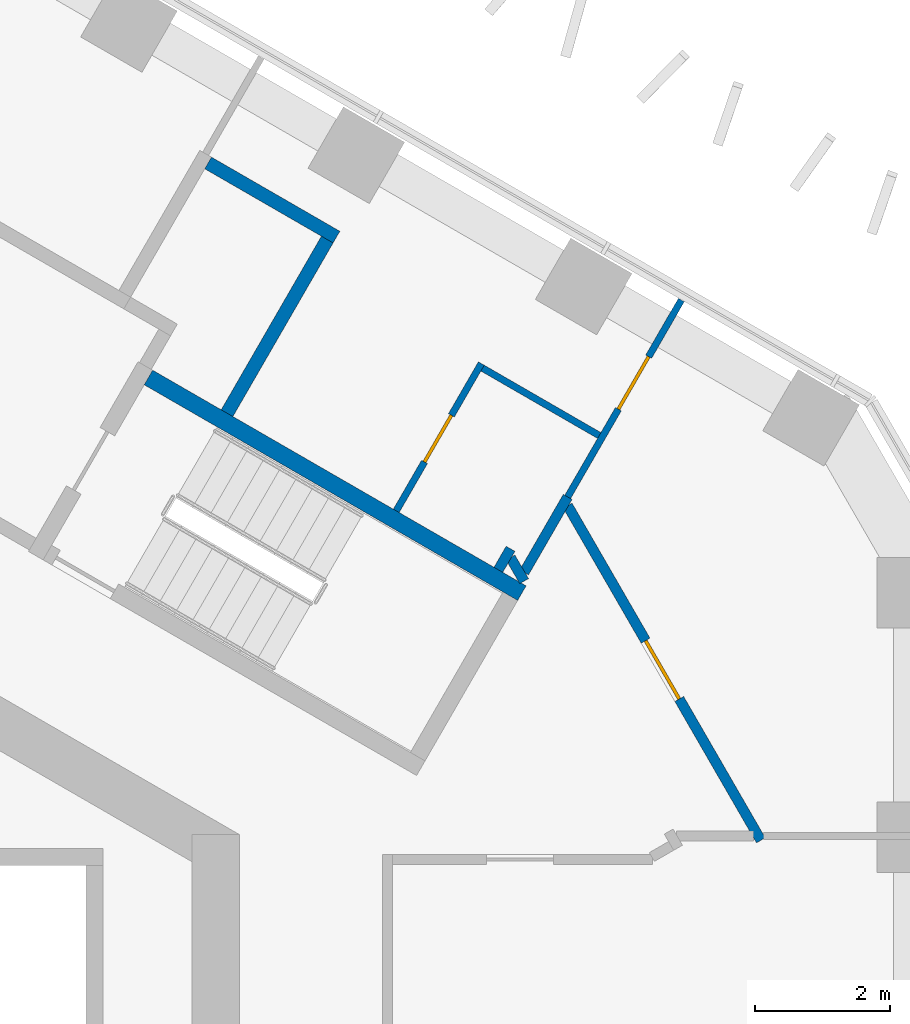
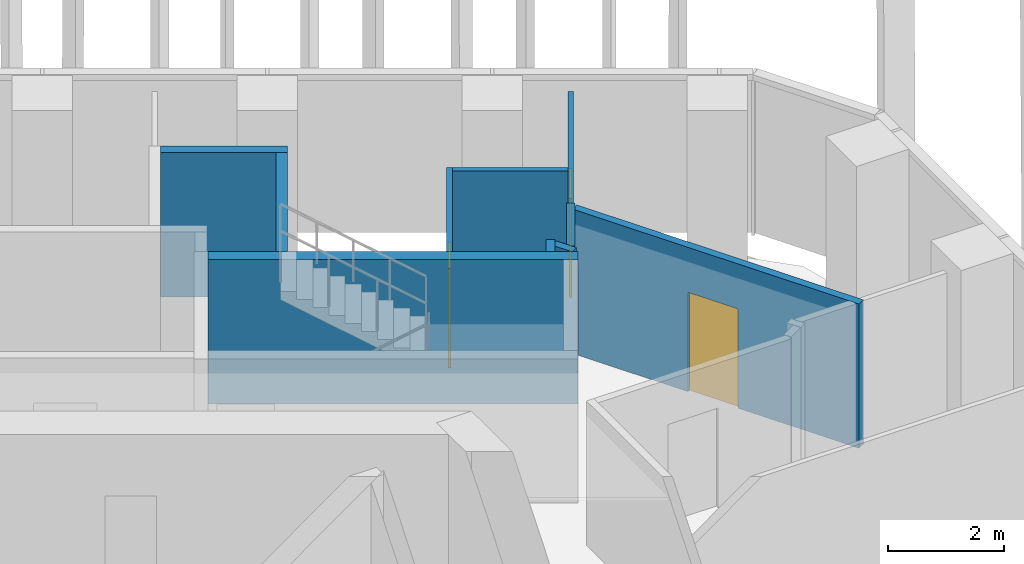
# One storey, part 15 of 19: 10 walls, 3 doors, 3 openings.
"""IFC4 building model written with IfcOpenShell, lengths in metres."""

from ifc_helpers import new_model, si_unit, direction, frame, frame_2d, origin, place, context, subcontext, project, spatial, rectangle, extrude, material, layer, layer_set, type_object, element, fill, save


model = new_model("IFC4")

# Units and contexts
model_context = context("Model", 3, precision=1e-05, world=origin(), true_north=direction((0.0, 1.0)))
body_context = subcontext(model_context, "Body", "Model", "MODEL_VIEW")
ifc_project = project(units=[si_unit("LENGTHUNIT", "METRE"), si_unit("AREAUNIT", "SQUARE_METRE"), si_unit("VOLUMEUNIT", "CUBIC_METRE"), si_unit("PLANEANGLEUNIT", "RADIAN"), si_unit("MASSUNIT", "GRAM", prefix="KILO")], contexts=[model_context])

# Site, building, storey
site_placement = place(None, origin())
site = spatial("IfcSite", under=ifc_project, at=site_placement, CompositionType="ELEMENT")
building_placement = place(site_placement, origin())
building = spatial("IfcBuilding", under=site, at=building_placement, Name="Ayvan Gate Tower", CompositionType="ELEMENT")
storey_placement = place(building_placement, frame((0.0, 0.0, 103.5)))
storey = spatial("IfcBuildingStorey", under=building, at=storey_placement, Name="L27", CompositionType="ELEMENT", Elevation=103.5)

# Walls
ifc_material_1 = material(Name="Plasterboard on steel stud", Category="steel")
ifc_layer_1 = layer(ifc_material_1, 0.14990234375)
ifc_layer_set_1 = layer_set([ifc_layer_1], Name="Plasterboard on steel stud")
wall_type_1 = type_object("IfcWallType", Name="WT-CORR-150", PredefinedType="PARTITIONING", material=ifc_layer_set_1)
wall_1_placement = place(storey_placement, frame((13.3447265625, 9.413818359375, 0.0), z_axis=(0.0, 0.0, 1.0), x_axis=(0.500074377092, 0.865982457891, 0.0)))
element("IfcWall", 1, at=wall_1_placement, inside=storey, type_object=wall_type_1, Name="IW-L27-107", PredefinedType="PARTITIONING", context=body_context, shape_type="SweptSolid", body=[
    extrude(rectangle(XDim=0.3603515625, YDim=0.14990234375, at=frame_2d((0.18017578125, 0.0))), origin(), (0.0, 0.0, 1.0), 3.050048828125),
])
wall_2_placement = place(storey_placement, frame((13.52490234375, 9.595947265625, 0.0), z_axis=(0.0, 0.0, 1.0), x_axis=(0.500297731093, -0.865853440406, 0.0)))
element("IfcWall", 2, at=wall_2_placement, inside=storey, type_object=wall_type_1, Name="IW-L27-108", PredefinedType="PARTITIONING", context=body_context, shape_type="SweptSolid", body=[
    extrude(rectangle(XDim=0.404052734375, YDim=0.14990234375, at=frame_2d((0.2021484375, 0.0))), origin(), (0.0, 0.0, 1.0), 3.050048828125),
])
wall_3_placement = place(storey_placement, frame((13.72705078125, 9.3759765625, 0.0), z_axis=(0.0, 0.0, 1.0), x_axis=(0.499978610854, 0.866037752461, 0.0)))
element("IfcWall", 3, at=wall_3_placement, inside=storey, type_object=wall_type_1, Name="IW-L27-110", PredefinedType="PARTITIONING", context=body_context, shape_type="SweptSolid", body=[
    extrude(rectangle(XDim=1.29248046875, YDim=0.14990234375, at=frame_2d((0.646240234375, 0.0))), origin(), (0.0, 0.0, 1.0), 3.050048828125),
])

# Wall, opening, door
wall_4_placement = place(storey_placement, frame((14.373291015625, 10.365478515625, 0.0), z_axis=(0.0, 0.0, 1.0), x_axis=(0.499985338323, -0.866033868542, 0.0)))
wall_4 = element("IfcWall", 4, at=wall_4_placement, inside=storey, type_object=wall_type_1, Name="IW-L27-112", PredefinedType="PARTITIONING", context=body_context, shape_type="SweptSolid", body=[
    extrude(rectangle(XDim=5.734619140625, YDim=0.14990234375, at=frame_2d((2.8671875, 0.0))), origin(), (0.0, 0.0, 1.0), 3.050048828125),
])
opening_1_placement = place(wall_4_placement, frame((2.3125, 0.0, 0.0)))
opening_1 = element("IfcOpeningElement", 5, at=opening_1_placement, cuts=wall_4, Name="Opening L27-D19", PredefinedType="OPENING", context=body_context, shape_type="SweptSolid", body=[
    extrude(rectangle(XDim=1.0, YDim=2.10009765625, at=frame_2d((0.5, 1.050048828125))), frame((0.0, 0.0849609375, 0.0), z_axis=(0.0, -1.0, 0.0), x_axis=(1.0, 0.0, 0.0)), (0.0, 0.0, 1.0), 0.169921875),
])
ifc_material_2 = material(Name="Timber door leaf", Category="wood")
door_type_1 = type_object("IfcDoorType", Name="DT-1000", OperationType="NOTDEFINED", PredefinedType="DOOR", material=ifc_material_2)
door_1_placement = place(opening_1_placement, origin())
door_1 = element("IfcDoor", 6, at=door_1_placement, inside=storey, type_object=door_type_1, Name="ID-L27-019", OperationType="SINGLE_SWING_RIGHT", OverallHeight=2.10009765625, OverallWidth=1.0, PredefinedType="DOOR", context=body_context, shape_type="SweptSolid", body=[
    extrude(rectangle(XDim=1.0, YDim=2.10009765625, at=frame_2d((0.5, 1.050048828125))), frame((0.0, 0.02490234375, 0.0), z_axis=(0.0, -1.0, 0.0), x_axis=(1.0, 0.0, 0.0)), (0.0, 0.0, 1.0), 0.050048828125),
])
fill(opening_1, door_1)

ifc_layer_2 = layer(ifc_material_1, 0.10009765625)
ifc_layer_set_2 = layer_set([ifc_layer_2], Name="Plasterboard on steel stud")
wall_type_2 = type_object("IfcWallType", Name="WT-PART-100", PredefinedType="PARTITIONING", material=ifc_layer_set_2)
wall_5_placement = place(storey_placement, frame((13.091796875, 12.4755859375, 0.0), z_axis=(0.0, 0.0, 1.0), x_axis=(-0.500048846702, -0.865997200291, 0.0)))
wall_5 = element("IfcWall", 7, at=wall_5_placement, inside=storey, type_object=wall_type_2, Name="IW-L27-105", PredefinedType="PARTITIONING", context=body_context, shape_type="SweptSolid", body=[
    extrude(rectangle(XDim=2.525146484375, YDim=0.10009765625, at=frame_2d((1.2626953125, 0.0))), origin(), (0.0, 0.0, 1.0), 3.050048828125),
])
opening_2_placement = place(wall_5_placement, frame((0.887451171875, 0.0, 0.0)))
opening_2 = element("IfcOpeningElement", 8, at=opening_2_placement, cuts=wall_5, Name="Opening L27-D21", PredefinedType="OPENING", context=body_context, shape_type="SweptSolid", body=[
    extrude(rectangle(XDim=0.800048828125, YDim=2.10009765625, at=frame_2d((0.39990234375, 1.050048828125))), frame((0.0, 0.06005859375, 0.0), z_axis=(0.0, -1.0, 0.0), x_axis=(1.0, 0.0, 0.0)), (0.0, 0.0, 1.0), 0.1201171875),
])
door_type_2 = type_object("IfcDoorType", Name="DT-800", OperationType="NOTDEFINED", PredefinedType="DOOR", material=ifc_material_2)
door_2_placement = place(opening_2_placement, origin())
door_2 = element("IfcDoor", 9, at=door_2_placement, inside=storey, type_object=door_type_2, Name="ID-L27-021", OperationType="SINGLE_SWING_RIGHT", OverallHeight=2.10009765625, OverallWidth=0.800048828125, PredefinedType="DOOR", context=body_context, shape_type="SweptSolid", body=[
    extrude(rectangle(XDim=0.800048828125, YDim=2.10009765625, at=frame_2d((0.39990234375, 1.050048828125))), frame((0.0, 0.02490234375, 0.0), z_axis=(0.0, -1.0, 0.0), x_axis=(1.0, 0.0, 0.0)), (0.0, 0.0, 1.0), 0.050048828125),
])
fill(opening_2, door_2)

wall_6_placement = place(storey_placement, frame((14.373291015625, 10.495361328125, 0.0), z_axis=(0.0, 0.0, 1.0), x_axis=(0.500006363716, 0.86602172966, 0.0)))
wall_6 = element("IfcWall", 10, at=wall_6_placement, inside=storey, type_object=wall_type_2, Name="IW-L27-111", PredefinedType="PARTITIONING", context=body_context, shape_type="SweptSolid", body=[
    extrude(rectangle(XDim=3.37451171875, YDim=0.10009765625, at=frame_2d((1.687255859375, 0.0))), origin(), (0.0, 0.0, 1.0), 3.050048828125),
])
opening_3_placement = place(wall_6_placement, frame((1.50390625, 0.0, 0.0)))
opening_3 = element("IfcOpeningElement", 11, at=opening_3_placement, cuts=wall_6, Name="Opening L27-D20", PredefinedType="OPENING", context=body_context, shape_type="SweptSolid", body=[
    extrude(rectangle(XDim=0.89990234375, YDim=2.10009765625, at=frame_2d((0.449951171875, 1.050048828125))), frame((0.0, 0.06005859375, 0.0), z_axis=(0.0, -1.0, 0.0), x_axis=(1.0, 0.0, 0.0)), (0.0, 0.0, 1.0), 0.1201171875),
])
door_type_3 = type_object("IfcDoorType", Name="DT-900", OperationType="NOTDEFINED", PredefinedType="DOOR", material=ifc_material_2)
door_3_placement = place(opening_3_placement, origin())
door_3 = element("IfcDoor", 12, at=door_3_placement, inside=storey, type_object=door_type_3, Name="ID-L27-020", OperationType="SINGLE_SWING_LEFT", OverallHeight=2.10009765625, OverallWidth=0.89990234375, PredefinedType="DOOR", context=body_context, shape_type="SweptSolid", body=[
    extrude(rectangle(XDim=0.89990234375, YDim=2.10009765625, at=frame_2d((0.449951171875, 1.050048828125))), frame((0.0, 0.02490234375, 0.0), z_axis=(0.0, -1.0, 0.0), x_axis=(1.0, 0.0, 0.0)), (0.0, 0.0, 1.0), 0.050048828125),
])
fill(opening_3, door_3)

# Walls
wall_7_placement = place(storey_placement, frame((14.842041015625, 11.4072265625, 0.0), z_axis=(0.0, 0.0, 1.0), x_axis=(-0.866010750942, 0.50002537861, 0.0)))
element("IfcWall", 13, at=wall_7_placement, inside=storey, type_object=wall_type_2, Name="IW-L27-113", PredefinedType="PARTITIONING", context=body_context, shape_type="SweptSolid", body=[
    extrude(rectangle(XDim=2.0, YDim=0.10009765625, at=frame_2d((1.0, 0.0))), origin(), (0.0, 0.0, 1.0), 3.050048828125),
])
ifc_layer_3 = layer(ifc_material_1, 0.199951171875)
ifc_layer_set_3 = layer_set([ifc_layer_3], Name="Plasterboard on steel stud")
wall_type_3 = type_object("IfcWallType", Name="WT-PLUMB-200", PredefinedType="PLUMBINGWALL", material=ifc_layer_set_3)
wall_8_placement = place(storey_placement, frame((9.03662109375, 15.451904296875, 0.0), z_axis=(0.0, 0.0, 1.0), x_axis=(0.866008176907, -0.50002983664, 0.0)))
element("IfcWall", 14, at=wall_8_placement, inside=storey, type_object=wall_type_3, Name="IW-L27-096", PredefinedType="PLUMBINGWALL", context=body_context, shape_type="SweptSolid", body=[
    extrude(rectangle(XDim=2.199951171875, YDim=0.199951171875, at=frame_2d((1.10009765625, 0.0))), origin(), (0.0, 0.0, 1.0), 3.050048828125),
])
wall_9_placement = place(storey_placement, frame((10.805419921875, 14.315185546875, 0.0), z_axis=(0.0, 0.0, 1.0), x_axis=(-0.500013701029, -0.866017493347, 0.0)))
element("IfcWall", 15, at=wall_9_placement, inside=storey, type_object=wall_type_3, Name="IW-L27-098", PredefinedType="PLUMBINGWALL", context=body_context, shape_type="SweptSolid", body=[
    extrude(rectangle(XDim=2.97509765625, YDim=0.199951171875, at=frame_2d((1.487548828125, 0.0))), origin(), (0.0, 0.0, 1.0), 3.050048828125),
])
ifc_material_3 = material(Name="Concrete C50/60", Category="concrete")
ifc_layer_4 = layer(ifc_material_3, 0.25)
ifc_layer_set_4 = layer_set([ifc_layer_4], Name="Concrete C50/60")
wall_type_4 = type_object("IfcWallType", Name="WT-RC-250", PredefinedType="SHEAR", material=ifc_layer_set_4)
wall_10_placement = place(storey_placement, frame((8.151123046875, 12.26806640625, 0.0), z_axis=(0.0, 0.0, 1.0), x_axis=(0.866025499775, -0.499999833739, 0.0)))
element("IfcWall", 16, at=wall_10_placement, inside=storey, type_object=wall_type_4, Name="IW-L27-092", PredefinedType="SHEAR", context=body_context, shape_type="SweptSolid", body=[
    extrude(rectangle(XDim=6.39990234375, YDim=0.25, at=frame_2d((3.199951171875, 0.0))), origin(), (0.0, 0.0, 1.0), 3.050048828125),
])

save(model, "model.ifc")
